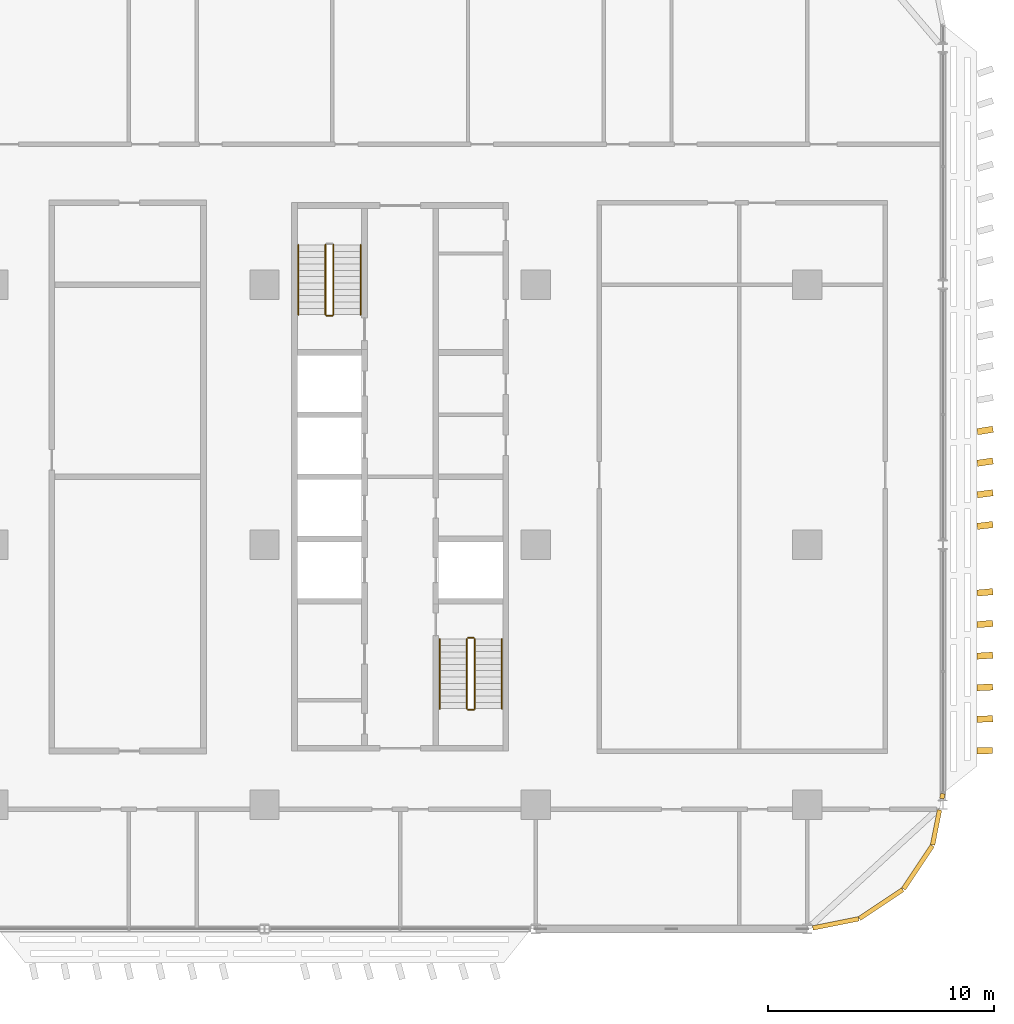
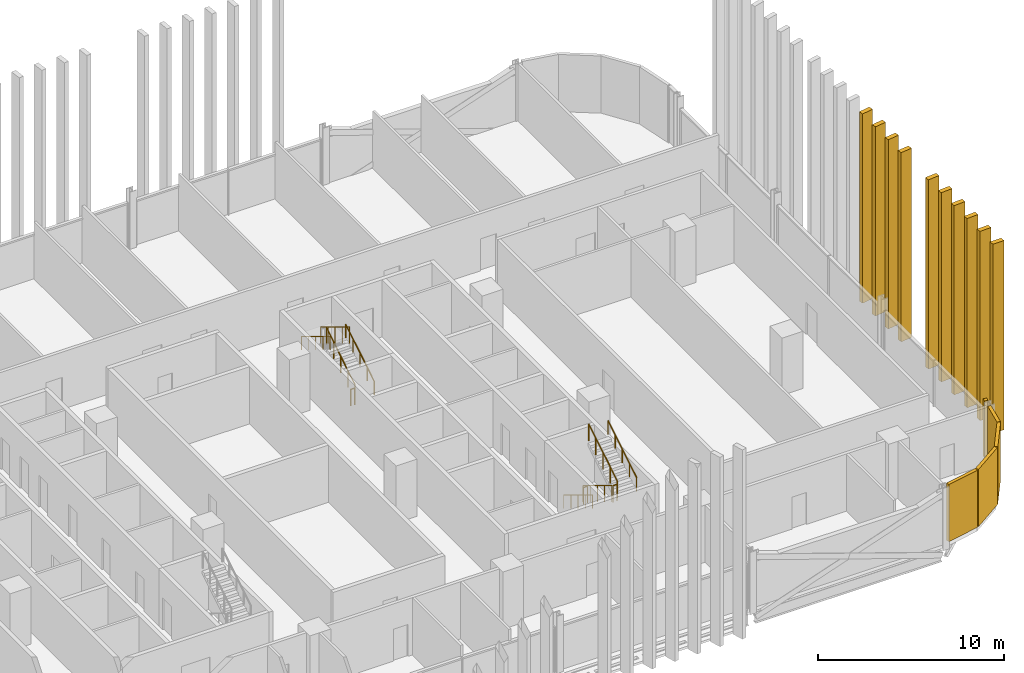
# One storey, part 30 of 32: 15 coverings, 11 railings.
"""IFC4 building model written with IfcOpenShell, lengths in metres."""

from ifc_helpers import new_model, si_unit, direction, frame, origin, origin_2d, place, context, subcontext, project, spatial, rectangle, circle, extrude, material, layer, layer_set, type_object, element, save


model = new_model("IFC4")

# Units and contexts
model_context = context("Model", 3, precision=1e-05, world=origin(), true_north=direction((0.0, 1.0)))
body_context = subcontext(model_context, "Body", "Model", "MODEL_VIEW")
ifc_project = project(units=[si_unit("LENGTHUNIT", "METRE"), si_unit("AREAUNIT", "SQUARE_METRE"), si_unit("VOLUMEUNIT", "CUBIC_METRE"), si_unit("PLANEANGLEUNIT", "RADIAN"), si_unit("MASSUNIT", "GRAM", prefix="KILO")], contexts=[model_context])

# Site, building, storey
site_placement = place(None, origin())
site = spatial("IfcSite", under=ifc_project, at=site_placement, CompositionType="ELEMENT")
building_placement = place(site_placement, origin())
building = spatial("IfcBuilding", under=site, at=building_placement, Name="Mahtab Terrace Research Tower", CompositionType="ELEMENT")
storey_placement = place(building_placement, frame((0.0, 0.0, 138.39990234375)))
storey = spatial("IfcBuildingStorey", under=building, at=storey_placement, Name="L32", CompositionType="ELEMENT", Elevation=138.39990234375)

# Coverings
ifc_material_1 = material(Name="Black aluminium cladding panel", Category="aluminium")
ifc_layer_1 = layer(ifc_material_1, 0.199951171875)
ifc_layer_set_1 = layer_set([ifc_layer_1], Name="Black metal corner cladding 200")
covering_type_1 = type_object("IfcCoveringType", Name="Black metal corner cladding 200", PredefinedType="CLADDING", material=ifc_layer_set_1)
covering_1_placement = place(storey_placement, frame((43.263916015625, -16.74853515625, 0.0), z_axis=(0.0, 0.0, 1.0), x_axis=(0.980760981187, 0.195212442692, 0.0)))
element("IfcCovering", 1, at=covering_1_placement, inside=storey, type_object=covering_type_1, Name="Corner cladding L32 31", PredefinedType="CLADDING", context=body_context, shape_type="SweptSolid", body=[
    extrude(rectangle(XDim=2.064697265625, YDim=0.199951171875, at=origin_2d()), origin(), (0.0, 0.0, 1.0), 3.760009765625),
])
for number, where, z_axis, x_axis, name in (
    (2, (45.26953125, -15.89306640625, 0.0), (0.0, 0.0, 1.0), (0.831655794326, 0.555291490808, 0.0), "Corner cladding L32 32"),
    (3, (46.89306640625, -14.26953125, 0.0), (0.0, 0.0, 1.0), (0.555291490808, 0.831655794326, 0.0), "Corner cladding L32 33"),
):
    element("IfcCovering", number, at=place(storey_placement, frame(where, z_axis=z_axis, x_axis=x_axis)), inside=storey, type_object=covering_type_1, Name=name, PredefinedType="CLADDING", context=body_context, shape_type="SweptSolid", body=[
        extrude(rectangle(XDim=2.30126953125, YDim=0.199951171875, at=origin_2d()), origin(), (0.0, 0.0, 1.0), 3.760009765625),
    ])
covering_2_placement = place(storey_placement, frame((47.700439453125, -12.50439453125, 0.0), z_axis=(0.0, 0.0, 1.0), x_axis=(0.195212442692, 0.980760981187, 0.0)))
element("IfcCovering", 4, at=covering_2_placement, inside=storey, type_object=covering_type_1, Name="Corner cladding L32 34", PredefinedType="CLADDING", context=body_context, shape_type="SweptSolid", body=[
    extrude(rectangle(XDim=1.574462890625, YDim=0.199951171875, at=origin_2d()), origin(), (0.0, 0.0, 1.0), 3.760009765625),
])
covering_3_placement = place(storey_placement, frame((47.97607421875, -11.11962890625, 0.0), z_axis=(0.0, 0.0, 1.0), x_axis=(0.195212442692, 0.980760981187, 0.0)))
element("IfcCovering", 5, at=covering_3_placement, inside=storey, type_object=covering_type_1, Name="Corner cladding L32 35", PredefinedType="CLADDING", context=body_context, shape_type="SweptSolid", body=[
    extrude(rectangle(XDim=0.22412109375, YDim=0.199951171875, at=origin_2d()), origin(), (0.0, 0.0, 1.0), 3.760009765625),
])

# Railings
ifc_material_2 = material(Name="Stainless steel AISI 304", Category="steel")
railing_type_1 = type_object("IfcRailingType", Name="Stair guard 1100", PredefinedType="GUARDRAIL", material=ifc_material_2)
railing_1_placement = place(storey_placement, frame((21.050048828125, 10.175048828125, 0.1708984375)))
element("IfcRailing", 6, at=railing_1_placement, inside=storey, type_object=railing_type_1, Name="L32 ST3 stair guard 1", PredefinedType="GUARDRAIL", context=body_context, shape_type="SweptSolid", body=[
    extrude(circle(Radius=0.02392578125, at=origin_2d()), frame((0.0, 0.0, 1.076171875), z_axis=(0.0, 0.853647949592, 0.520850437417), x_axis=(-1.0, 0.0, 0.0)), (0.0, 0.0, 1.0), 3.60791015625),
    extrude(circle(Radius=0.02099609375, at=origin_2d()), origin(), (0.0, 0.0, 1.0), 1.052001953125),
    extrude(circle(Radius=0.02099609375, at=origin_2d()), frame((0.0, 0.77001953125, 0.4697265625)), (0.0, 0.0, 1.0), 1.052001953125),
    extrude(circle(Radius=0.02099609375, at=origin_2d()), frame((0.0, 1.5400390625, 0.939453125)), (0.0, 0.0, 1.0), 1.052001953125),
    extrude(circle(Radius=0.02099609375, at=origin_2d()), frame((0.0, 2.309814453125, 1.409423828125)), (0.0, 0.0, 1.0), 1.052001953125),
    extrude(circle(Radius=0.02099609375, at=origin_2d()), frame((0.0, 3.079833984375, 1.879150390625)), (0.0, 0.0, 1.0), 1.052001953125),
])
railing_2_placement = place(storey_placement, frame((20.699951171875, 13.2548828125, 2.220947265625)))
element("IfcRailing", 7, at=railing_2_placement, inside=storey, type_object=railing_type_1, Name="L32 ST3 stair guard 3", PredefinedType="GUARDRAIL", context=body_context, shape_type="SweptSolid", body=[
    extrude(circle(Radius=0.02392578125, at=origin_2d()), frame((0.0, 0.0, 1.076171875), z_axis=(0.0, -0.853647949592, 0.520850437417), x_axis=(1.0, 0.0, 0.0)), (0.0, 0.0, 1.0), 3.60791015625),
    extrude(circle(Radius=0.02099609375, at=origin_2d()), origin(), (0.0, 0.0, 1.0), 1.052001953125),
    extrude(circle(Radius=0.02099609375, at=origin_2d()), frame((0.0, -0.77001953125, 0.4697265625)), (0.0, 0.0, 1.0), 1.052001953125),
    extrude(circle(Radius=0.02099609375, at=origin_2d()), frame((0.0, -1.5400390625, 0.939453125)), (0.0, 0.0, 1.0), 1.052001953125),
    extrude(circle(Radius=0.02099609375, at=origin_2d()), frame((0.0, -2.309814453125, 1.409423828125)), (0.0, 0.0, 1.0), 1.052001953125),
    extrude(circle(Radius=0.02099609375, at=origin_2d()), frame((0.0, -3.079833984375, 1.879150390625)), (0.0, 0.0, 1.0), 1.052001953125),
])
railing_3_placement = place(storey_placement, frame((21.0, 10.125, 0.0)))
element("IfcRailing", 8, at=railing_3_placement, inside=storey, type_object=railing_type_1, Name="L32 ST3 stair guard 4", PredefinedType="GUARDRAIL", context=body_context, shape_type="SweptSolid", body=[
    extrude(circle(Radius=0.02392578125, at=origin_2d()), frame((0.0, 0.0, 1.076171875), z_axis=(-1.0, 0.0, 0.0), x_axis=(0.0, -1.0, 0.0)), (0.0, 0.0, 1.0), 0.25),
    extrude(circle(Radius=0.02099609375, at=origin_2d()), origin(), (0.0, 0.0, 1.0), 1.052001953125),
    extrude(circle(Radius=0.02099609375, at=origin_2d()), frame((-0.25, 0.0, 0.0)), (0.0, 0.0, 1.0), 1.052001953125),
])
railing_4_placement = place(storey_placement, frame((26.949951171875, -4.175048828125, 0.1708984375)))
element("IfcRailing", 9, at=railing_4_placement, inside=storey, type_object=railing_type_1, Name="L32 ST4 stair guard 1", PredefinedType="GUARDRAIL", context=body_context, shape_type="SweptSolid", body=[
    extrude(circle(Radius=0.02392578125, at=origin_2d()), frame((0.0, 0.0, 1.076171875), z_axis=(0.0, -0.853647949592, 0.520850437417), x_axis=(1.0, 0.0, 0.0)), (0.0, 0.0, 1.0), 3.60791015625),
    extrude(circle(Radius=0.02099609375, at=origin_2d()), origin(), (0.0, 0.0, 1.0), 1.052001953125),
    extrude(circle(Radius=0.02099609375, at=origin_2d()), frame((0.0, -0.77001953125, 0.4697265625)), (0.0, 0.0, 1.0), 1.052001953125),
    extrude(circle(Radius=0.02099609375, at=origin_2d()), frame((0.0, -1.5400390625, 0.939453125)), (0.0, 0.0, 1.0), 1.052001953125),
    extrude(circle(Radius=0.02099609375, at=origin_2d()), frame((0.0, -2.309814453125, 1.409423828125)), (0.0, 0.0, 1.0), 1.052001953125),
    extrude(circle(Radius=0.02099609375, at=origin_2d()), frame((0.0, -3.079833984375, 1.879150390625)), (0.0, 0.0, 1.0), 1.052001953125),
])
railing_5_placement = place(storey_placement, frame((27.0, -7.304931640625, 2.050048828125)))
element("IfcRailing", 10, at=railing_5_placement, inside=storey, type_object=railing_type_1, Name="L32 ST4 stair guard 2", PredefinedType="GUARDRAIL", context=body_context, shape_type="SweptSolid", body=[
    extrude(circle(Radius=0.02392578125, at=origin_2d()), frame((0.0, 0.0, 1.076171875), z_axis=(1.0, 0.0, 0.0), x_axis=(0.0, 1.0, 0.0)), (0.0, 0.0, 1.0), 0.25),
    extrude(circle(Radius=0.02099609375, at=origin_2d()), origin(), (0.0, 0.0, 1.0), 1.052001953125),
    extrude(circle(Radius=0.02099609375, at=origin_2d()), frame((0.25, 0.0, 0.0)), (0.0, 0.0, 1.0), 1.052001953125),
])
railing_6_placement = place(storey_placement, frame((27.300048828125, -7.2548828125, 2.220947265625)))
element("IfcRailing", 11, at=railing_6_placement, inside=storey, type_object=railing_type_1, Name="L32 ST4 stair guard 3", PredefinedType="GUARDRAIL", context=body_context, shape_type="SweptSolid", body=[
    extrude(circle(Radius=0.02392578125, at=origin_2d()), frame((0.0, 0.0, 1.076171875), z_axis=(0.0, 0.853647949592, 0.520850437417), x_axis=(-1.0, 0.0, 0.0)), (0.0, 0.0, 1.0), 3.60791015625),
    extrude(circle(Radius=0.02099609375, at=origin_2d()), origin(), (0.0, 0.0, 1.0), 1.052001953125),
    extrude(circle(Radius=0.02099609375, at=origin_2d()), frame((0.0, 0.77001953125, 0.4697265625)), (0.0, 0.0, 1.0), 1.052001953125),
    extrude(circle(Radius=0.02099609375, at=origin_2d()), frame((0.0, 1.5400390625, 0.939453125)), (0.0, 0.0, 1.0), 1.052001953125),
    extrude(circle(Radius=0.02099609375, at=origin_2d()), frame((0.0, 2.309814453125, 1.409423828125)), (0.0, 0.0, 1.0), 1.052001953125),
    extrude(circle(Radius=0.02099609375, at=origin_2d()), frame((0.0, 3.079833984375, 1.879150390625)), (0.0, 0.0, 1.0), 1.052001953125),
])
railing_7_placement = place(storey_placement, frame((27.0, -4.125, 0.0)))
element("IfcRailing", 12, at=railing_7_placement, inside=storey, type_object=railing_type_1, Name="L32 ST4 stair guard 4", PredefinedType="GUARDRAIL", context=body_context, shape_type="SweptSolid", body=[
    extrude(circle(Radius=0.02392578125, at=origin_2d()), frame((0.0, 0.0, 1.076171875), z_axis=(1.0, 0.0, 0.0), x_axis=(0.0, 1.0, 0.0)), (0.0, 0.0, 1.0), 0.25),
    extrude(circle(Radius=0.02099609375, at=origin_2d()), origin(), (0.0, 0.0, 1.0), 1.052001953125),
    extrude(circle(Radius=0.02099609375, at=origin_2d()), frame((0.25, 0.0, 0.0)), (0.0, 0.0, 1.0), 1.052001953125),
])
railing_type_2 = type_object("IfcRailingType", Name="Stair handrail 900", PredefinedType="HANDRAIL", material=ifc_material_2)
railing_8_placement = place(storey_placement, frame((22.25, 10.175048828125, 0.1708984375)))
element("IfcRailing", 13, at=railing_8_placement, inside=storey, type_object=railing_type_2, Name="L32 ST3 stair handrail 1", PredefinedType="HANDRAIL", context=body_context, shape_type="SweptSolid", body=[
    extrude(circle(Radius=0.02392578125, at=origin_2d()), frame((0.0, 0.0, 0.8759765625), z_axis=(0.0, 0.853647949592, 0.520850437417), x_axis=(-1.0, 0.0, 0.0)), (0.0, 0.0, 1.0), 3.60791015625),
    extrude(circle(Radius=0.02099609375, at=origin_2d()), origin(), (0.0, 0.0, 1.0), 0.851806640625),
    extrude(circle(Radius=0.02099609375, at=origin_2d()), frame((0.0, 0.77001953125, 0.4697265625)), (0.0, 0.0, 1.0), 0.851806640625),
    extrude(circle(Radius=0.02099609375, at=origin_2d()), frame((0.0, 1.5400390625, 0.939453125)), (0.0, 0.0, 1.0), 0.851806640625),
    extrude(circle(Radius=0.02099609375, at=origin_2d()), frame((0.0, 2.309814453125, 1.409423828125)), (0.0, 0.0, 1.0), 0.851806640625),
    extrude(circle(Radius=0.02099609375, at=origin_2d()), frame((0.0, 3.079833984375, 1.879150390625)), (0.0, 0.0, 1.0), 0.851806640625),
])
for number, where, name in (
    (14, (19.5, 13.2548828125, 2.220947265625), "L32 ST3 stair handrail 2"),
    (15, (25.75, -4.175048828125, 0.1708984375), "L32 ST4 stair handrail 1"),
):
    element("IfcRailing", number, at=place(storey_placement, frame(where)), inside=storey, type_object=railing_type_2, Name=name, PredefinedType="HANDRAIL", context=body_context, shape_type="SweptSolid", body=[
        extrude(circle(Radius=0.02392578125, at=origin_2d()), frame((0.0, 0.0, 0.8759765625), z_axis=(0.0, -0.853647949592, 0.520850437417), x_axis=(1.0, 0.0, 0.0)), (0.0, 0.0, 1.0), 3.60791015625),
        extrude(circle(Radius=0.02099609375, at=origin_2d()), origin(), (0.0, 0.0, 1.0), 0.851806640625),
        extrude(circle(Radius=0.02099609375, at=origin_2d()), frame((0.0, -0.77001953125, 0.4697265625)), (0.0, 0.0, 1.0), 0.851806640625),
        extrude(circle(Radius=0.02099609375, at=origin_2d()), frame((0.0, -1.5400390625, 0.939453125)), (0.0, 0.0, 1.0), 0.851806640625),
        extrude(circle(Radius=0.02099609375, at=origin_2d()), frame((0.0, -2.309814453125, 1.409423828125)), (0.0, 0.0, 1.0), 0.851806640625),
        extrude(circle(Radius=0.02099609375, at=origin_2d()), frame((0.0, -3.079833984375, 1.879150390625)), (0.0, 0.0, 1.0), 0.851806640625),
    ])
railing_9_placement = place(storey_placement, frame((28.5, -7.2548828125, 2.220947265625)))
element("IfcRailing", 16, at=railing_9_placement, inside=storey, type_object=railing_type_2, Name="L32 ST4 stair handrail 2", PredefinedType="HANDRAIL", context=body_context, shape_type="SweptSolid", body=[
    extrude(circle(Radius=0.02392578125, at=origin_2d()), frame((0.0, 0.0, 0.8759765625), z_axis=(0.0, 0.853647949592, 0.520850437417), x_axis=(-1.0, 0.0, 0.0)), (0.0, 0.0, 1.0), 3.60791015625),
    extrude(circle(Radius=0.02099609375, at=origin_2d()), origin(), (0.0, 0.0, 1.0), 0.851806640625),
    extrude(circle(Radius=0.02099609375, at=origin_2d()), frame((0.0, 0.77001953125, 0.4697265625)), (0.0, 0.0, 1.0), 0.851806640625),
    extrude(circle(Radius=0.02099609375, at=origin_2d()), frame((0.0, 1.5400390625, 0.939453125)), (0.0, 0.0, 1.0), 0.851806640625),
    extrude(circle(Radius=0.02099609375, at=origin_2d()), frame((0.0, 2.309814453125, 1.409423828125)), (0.0, 0.0, 1.0), 0.851806640625),
    extrude(circle(Radius=0.02099609375, at=origin_2d()), frame((0.0, 3.079833984375, 1.879150390625)), (0.0, 0.0, 1.0), 0.851806640625),
])

# Coverings
ifc_material_3 = material(Name="Bronze anodised aluminium", Category="aluminium")
ifc_layer_2 = layer(ifc_material_3, 0.1201171875)
ifc_layer_set_2 = layer_set([ifc_layer_2], Name="Vertical fin 700")
covering_type_2 = type_object("IfcCoveringType", Name="Vertical fin 700", PredefinedType="CLADDING", material=ifc_layer_set_2)
for number, where, z_axis, x_axis, name in (
    (17, (49.8525390625, -9.10888671875, -0.14990234375), (0.0, 0.0, 1.0), (-0.019413001712, 0.999811549926, 0.0), "Fin L32 E1"),
    (18, (49.8544921875, -7.708984375, -0.14990234375), (0.0, 0.0, 1.0), (-0.033781092738, 0.999429256012, 0.0), "Fin L32 E2"),
    (19, (49.8564453125, -6.30908203125, -0.14990234375), (0.0, 0.0, 1.0), (-0.04814220499, 0.99884049182, 0.0), "Fin L32 E3"),
    (20, (49.858154296875, -4.908935546875, -0.14990234375), (0.0, 0.0, 1.0), (-0.062493371613, 0.998045378981, 0.0), "Fin L32 E4"),
    (21, (49.859619140625, -3.509033203125, -0.14990234375), (0.0, 0.0, 1.0), (-0.076831627861, 0.997044081754, 0.0), "Fin L32 E5"),
    (22, (49.861328125, -2.10888671875, -0.14990234375), (0.0, 0.0, 1.0), (-0.091154011602, 0.995836806996, 0.0), "Fin L32 E6"),
    (23, (49.864501953125, 0.85009765625, -0.14990234375), (0.0, 0.0, 1.0), (-0.121359821532, 0.992608580316, 0.0), "Fin L32 E1"),
    (24, (49.86572265625, 2.25, -0.14990234375), (0.0, 0.0, 1.0), (-0.135613855178, 0.990761768683, 0.0), "Fin L32 E2"),
    (25, (49.866943359375, 3.64990234375, -0.14990234375), (0.0, 0.0, 1.0), (-0.149839872602, 0.988710277371, 0.0), "Fin L32 E3"),
    (26, (49.8681640625, 5.050048828125, -0.14990234375), (0.0, 0.0, 1.0), (-0.164034934879, 0.986454530193, 0.0), "Fin L32 E4"),
):
    element("IfcCovering", number, at=place(storey_placement, frame(where, z_axis=z_axis, x_axis=x_axis)), inside=storey, type_object=covering_type_2, Name=name, PredefinedType="CLADDING", context=body_context, shape_type="SweptSolid", body=[
        extrude(rectangle(XDim=0.280029296875, YDim=0.699951171875, at=origin_2d()), origin(), (0.0, 0.0, 1.0), 12.449951171875),
    ])

save(model, "model.ifc")
